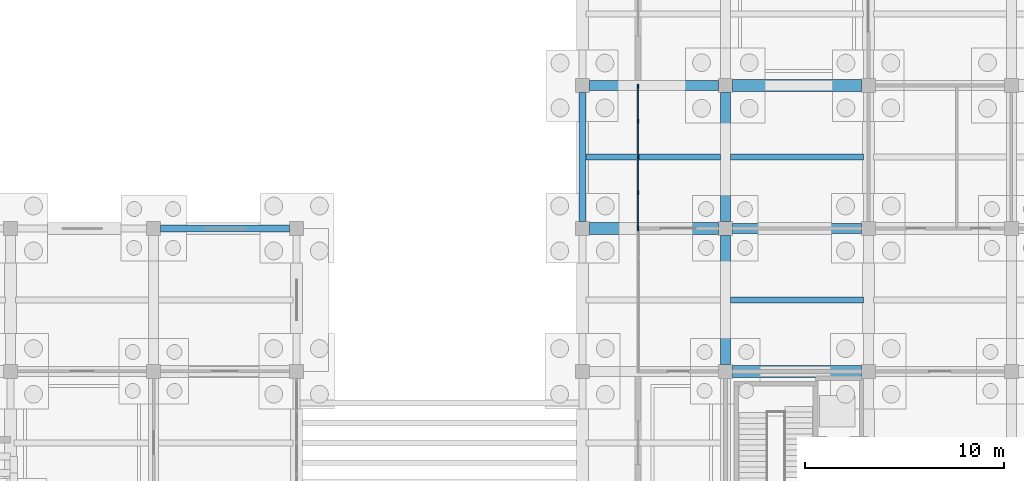
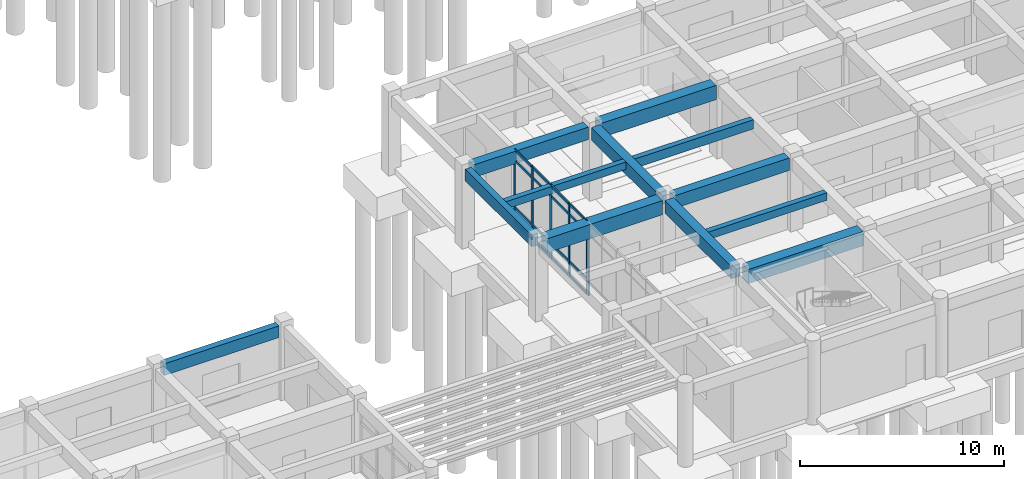
# One storey, part 24 of 79: 22 members, 12 beams, 2 elements without a shape of their own.
"""IFC4 building model written with IfcOpenShell, lengths in metres."""

from ifc_helpers import new_model, si_unit, direction, frame, origin, origin_2d, place, context, subcontext, project, spatial, rectangle, extrude, material, layer, layer_set, material_profile, profile_set, type_object, element, aggregate, save


model = new_model("IFC4")

# Units and contexts
model_context = context("Model", 3, precision=1e-05, world=origin(), true_north=direction((0.0, 1.0)))
body_context = subcontext(model_context, "Body", "Model", "MODEL_VIEW")
ifc_project = project(units=[si_unit("LENGTHUNIT", "METRE"), si_unit("AREAUNIT", "SQUARE_METRE"), si_unit("VOLUMEUNIT", "CUBIC_METRE"), si_unit("PLANEANGLEUNIT", "RADIAN"), si_unit("MASSUNIT", "GRAM", prefix="KILO")], contexts=[model_context])

# Site, building, storey
site_placement = place(None, origin())
site = spatial("IfcSite", under=ifc_project, at=site_placement, CompositionType="ELEMENT")
building_placement = place(site_placement, origin())
building = spatial("IfcBuilding", under=site, at=building_placement, Name="Kavelor Marine Aquarium", CompositionType="ELEMENT")
storey_placement = place(building_placement, origin())
storey = spatial("IfcBuildingStorey", under=building, at=storey_placement, Name="L00", CompositionType="ELEMENT", Elevation=0.0)

# Beams
ifc_material_1 = material(Name="Concrete C40/50", Category="concrete")
ifc_material_profile_1 = material_profile(ifc_material_1, rectangle(XDim=0.60009765625, YDim=0.85009765625, at=origin_2d()), Name="RC-BM 600x850")
ifc_profile_set_1 = profile_set([ifc_material_profile_1], Name="Concrete C40/50")
beam_type_1 = type_object("IfcBeamType", Name="BM-B1", PredefinedType="BEAM", material=ifc_profile_set_1)
for number, where, z_axis, x_axis, name in (
    (1, (118.75, 17.199951171875, 3.955078125), (1.0, 0.0, 0.0), (0.0, 1.0, 0.0), "bm:x:L00:L01:16_02"),
    (2, (125.949951171875, 10.0, 3.955078125), (1.0, 0.0, 0.0), (0.0, 1.0, 0.0), "bm:x:L00:L01:17_01"),
    (3, (125.949951171875, 24.39990234375, 3.955078125), (1.0, 0.0, 0.0), (0.0, 1.0, 0.0), "bm:x:L00:L01:17_03"),
):
    element("IfcBeam", number, at=place(storey_placement, frame(where, z_axis=z_axis, x_axis=x_axis)), inside=storey, type_object=beam_type_1, Name=name, PredefinedType="BEAM", context=body_context, shape_type="SweptSolid", body=[
        extrude(rectangle(XDim=0.60009765625, YDim=0.85009765625, at=origin_2d()), origin(), (0.0, 0.0, 1.0), 6.5),
    ])
ifc_material_2 = material(Name="Concrete C40/50", Category="concrete")
ifc_material_profile_2 = material_profile(ifc_material_2, rectangle(XDim=0.5, YDim=0.75, at=origin_2d()), Name="RC-BM 500x750")
ifc_profile_set_2 = profile_set([ifc_material_profile_2], Name="Concrete C40/50")
beam_type_2 = type_object("IfcBeamType", Name="BM-B2", PredefinedType="BEAM", material=ifc_profile_set_2)
for number, where, z_axis, x_axis, name in (
    (4, (118.75, 24.39990234375, 4.0048828125), (1.0, 0.0, 0.0), (0.0, 1.0, 0.0), "bm:x:L00:L01:16_03"),
    (5, (125.949951171875, 17.199951171875, 4.0048828125), (1.0, 0.0, 0.0), (0.0, 1.0, 0.0), "bm:x:L00:L01:17_02"),
    (6, (125.60009765625, 10.35009765625, 4.0048828125), (0.0, 1.0, 0.0), (-1.0, 0.0, 0.0), "bm:y:L00:L01:17_01"),
    (7, (125.60009765625, 17.550048828125, 4.0048828125), (0.0, 1.0, 0.0), (-1.0, 0.0, 0.0), "bm:y:L00:L01:17_02"),
):
    element("IfcBeam", number, at=place(storey_placement, frame(where, z_axis=z_axis, x_axis=x_axis)), inside=storey, type_object=beam_type_2, Name=name, PredefinedType="BEAM", context=body_context, shape_type="SweptSolid", body=[
        extrude(rectangle(XDim=0.5, YDim=0.75, at=origin_2d()), origin(), (0.0, 0.0, 1.0), 6.5),
    ])
ifc_material_3 = material(Name="Concrete C40/50", Category="concrete")
ifc_material_profile_3 = material_profile(ifc_material_3, rectangle(XDim=0.300048828125, YDim=0.449951171875, at=origin_2d()), Name="RC-JS 300x450")
ifc_profile_set_3 = profile_set([ifc_material_profile_3], Name="Concrete C40/50")
beam_type_3 = type_object("IfcBeamType", Name="BM-JS1", PredefinedType="JOIST", material=ifc_profile_set_3)
beam_1_placement = place(storey_placement, frame((118.574951171875, 20.800048828125, 4.155029296875), z_axis=(1.0, 0.0, 0.0), x_axis=(0.0, 1.0, 0.0)))
element("IfcBeam", 8, at=beam_1_placement, inside=storey, type_object=beam_type_3, Name="js:L00:L01:16_02", PredefinedType="JOIST", context=body_context, shape_type="SweptSolid", body=[
    extrude(rectangle(XDim=0.300048828125, YDim=0.449951171875, at=origin_2d()), origin(), (0.0, 0.0, 1.0), 6.775146484375),
])
beam_2_placement = place(storey_placement, frame((125.85009765625, 13.60009765625, 4.155029296875), z_axis=(1.0, 0.0, 0.0), x_axis=(0.0, 1.0, 0.0)))
element("IfcBeam", 9, at=beam_2_placement, inside=storey, type_object=beam_type_3, Name="js:L00:L01:17_01", PredefinedType="JOIST", context=body_context, shape_type="SweptSolid", body=[
    extrude(rectangle(XDim=0.300048828125, YDim=0.449951171875, at=origin_2d()), origin(), (0.0, 0.0, 1.0), 6.699951171875),
])
ifc_material_4 = material(Name="Concrete C40/50", Category="concrete")
ifc_material_profile_4 = material_profile(ifc_material_4, rectangle(XDim=0.300048828125, YDim=0.550048828125, at=origin_2d()), Name="RC-JS 300x550")
ifc_profile_set_4 = profile_set([ifc_material_profile_4], Name="Concrete C40/50")
beam_type_4 = type_object("IfcBeamType", Name="BM-JS2", PredefinedType="JOIST", material=ifc_profile_set_4)
beam_3_placement = place(storey_placement, frame((125.85009765625, 20.800048828125, 4.10498046875), z_axis=(1.0, 0.0, 0.0), x_axis=(0.0, 1.0, 0.0)))
element("IfcBeam", 10, at=beam_3_placement, inside=storey, type_object=beam_type_4, Name="js:L00:L01:17_02", PredefinedType="JOIST", context=body_context, shape_type="SweptSolid", body=[
    extrude(rectangle(XDim=0.300048828125, YDim=0.550048828125, at=origin_2d()), origin(), (0.0, 0.0, 1.0), 6.699951171875),
])
ifc_material_5 = material(Name="Concrete C40/50", Category="concrete")
ifc_material_profile_5 = material_profile(ifc_material_5, rectangle(XDim=0.35009765625, YDim=0.699951171875, at=origin_2d()), Name="RC-SP 350x700")
ifc_profile_set_5 = profile_set([ifc_material_profile_5], Name="Concrete C40/50")
beam_type_5 = type_object("IfcBeamType", Name="BM-SP1", PredefinedType="SPANDREL", material=ifc_profile_set_5)
for number, where, z_axis, x_axis, name in (
    (11, (97.14990234375, 17.199951171875, 4.030029296875), (1.0, 0.0, 0.0), (0.0, 1.0, 0.0), "bm:x:L00:L01:13_02"),
    (12, (118.39990234375, 17.550048828125, 4.030029296875), (0.0, 1.0, 0.0), (-1.0, 0.0, 0.0), "bm:y:L00:L01:16_02"),
):
    element("IfcBeam", number, at=place(storey_placement, frame(where, z_axis=z_axis, x_axis=x_axis)), inside=storey, type_object=beam_type_5, Name=name, PredefinedType="SPANDREL", context=body_context, shape_type="SweptSolid", body=[
        extrude(rectangle(XDim=0.35009765625, YDim=0.699951171875, at=origin_2d()), origin(), (0.0, 0.0, 1.0), 6.5),
    ])

# Curtain wall, members
ifc_material_6 = material(Name="Thermally Broken Aluminium and Low-E Glass", Category="aluminium")
ifc_layer_1 = layer(ifc_material_6, 0.243896484375)
ifc_layer_set_1 = layer_set([ifc_layer_1], Name="CW-SYS13")
curtain_wall_type_1 = type_object("IfcCurtainWallType", Name="CW-SYS13", PredefinedType="USERDEFINED", material=ifc_layer_set_1)
curtain_wall_1_placement = place(storey_placement, origin())
curtain_wall_1 = element("IfcCurtainWall", 13, at=curtain_wall_1_placement, inside=storey, type_object=curtain_wall_type_1, Name="cw:arc:v3w:02", ObjectType="Curtain Wall", PredefinedType="USERDEFINED")
ifc_material_7 = material(Name="Anodised Aluminium Alloy 6063-T6", Category="aluminium")
ifc_material_profile_6 = material_profile(ifc_material_7, rectangle(XDim=0.074951171875, YDim=0.179931640625, at=origin_2d()), Name="CW-MUL 75x180")
ifc_profile_set_6 = profile_set([ifc_material_profile_6], Name="Anodised Aluminium Alloy 6063-T6")
member_type_1 = type_object("IfcMemberType", Name="CWM-1", PredefinedType="MULLION", material=ifc_profile_set_6)
member_1_placement = place(storey_placement, frame((121.199951171875, 24.362548828125, 0.0), z_axis=(0.0, 0.0, 1.0), x_axis=(1.0, 0.0, 0.0)))
member_1 = element("IfcMember", 14, at=member_1_placement, type_object=member_type_1, Name="CW13 mullion 1", PredefinedType="MULLION", context=body_context, shape_type="SweptSolid", body=[
    extrude(rectangle(XDim=0.074951171875, YDim=0.179931640625, at=origin_2d()), origin(), (0.0, 0.0, 1.0), 4.3701171875),
])
member_2_placement = place(storey_placement, frame((121.199951171875, 22.60009765625, 0.0), z_axis=(0.0, 0.0, 1.0), x_axis=(1.0, 0.0, 0.0)))
member_2 = element("IfcMember", 15, at=member_2_placement, type_object=member_type_1, Name="CW13 mullion 2", PredefinedType="MULLION", context=body_context, shape_type="SweptSolid", body=[
    extrude(rectangle(XDim=0.074951171875, YDim=0.179931640625, at=origin_2d()), origin(), (0.0, 0.0, 1.0), 4.3701171875),
])
member_3_placement = place(storey_placement, frame((121.199951171875, 20.800048828125, 0.0), z_axis=(0.0, 0.0, 1.0), x_axis=(1.0, 0.0, 0.0)))
member_3 = element("IfcMember", 16, at=member_3_placement, type_object=member_type_1, Name="CW13 mullion 3", PredefinedType="MULLION", context=body_context, shape_type="SweptSolid", body=[
    extrude(rectangle(XDim=0.074951171875, YDim=0.179931640625, at=origin_2d()), origin(), (0.0, 0.0, 1.0), 4.3701171875),
])
member_4_placement = place(storey_placement, frame((121.199951171875, 19.0, 0.0), z_axis=(0.0, 0.0, 1.0), x_axis=(1.0, 0.0, 0.0)))
member_4 = element("IfcMember", 17, at=member_4_placement, type_object=member_type_1, Name="CW13 mullion 4", PredefinedType="MULLION", context=body_context, shape_type="SweptSolid", body=[
    extrude(rectangle(XDim=0.074951171875, YDim=0.179931640625, at=origin_2d()), origin(), (0.0, 0.0, 1.0), 4.3701171875),
])
member_5_placement = place(storey_placement, frame((121.199951171875, 17.237548828125, 0.0), z_axis=(0.0, 0.0, 1.0), x_axis=(1.0, 0.0, 0.0)))
member_5 = element("IfcMember", 18, at=member_5_placement, type_object=member_type_1, Name="CW13 mullion 5", PredefinedType="MULLION", context=body_context, shape_type="SweptSolid", body=[
    extrude(rectangle(XDim=0.074951171875, YDim=0.179931640625, at=origin_2d()), origin(), (0.0, 0.0, 1.0), 4.3701171875),
])

# Curtain wall, member
ifc_material_8 = material(Name="Thermally Broken Aluminium and Low-E Glass", Category="aluminium")
ifc_layer_2 = layer(ifc_material_8, 0.236083984375)
ifc_layer_set_2 = layer_set([ifc_layer_2], Name="CW-SYS12")
curtain_wall_type_2 = type_object("IfcCurtainWallType", Name="CW-SYS12", PredefinedType="USERDEFINED", material=ifc_layer_set_2)
curtain_wall_2_placement = place(storey_placement, origin())
curtain_wall_2 = element("IfcCurtainWall", 19, at=curtain_wall_2_placement, inside=storey, type_object=curtain_wall_type_2, Name="cw:arc:v3w:01", ObjectType="Curtain Wall", PredefinedType="USERDEFINED")
ifc_material_9 = material(Name="Anodised Aluminium Alloy 6063-T6", Category="aluminium")
ifc_material_profile_7 = material_profile(ifc_material_9, rectangle(XDim=0.0849609375, YDim=0.18994140625, at=origin_2d()), Name="CW-MUL 85x190")
ifc_profile_set_7 = profile_set([ifc_material_profile_7], Name="Anodised Aluminium Alloy 6063-T6")
member_type_2 = type_object("IfcMemberType", Name="CWM-3", PredefinedType="MULLION", material=ifc_profile_set_7)
member_6_placement = place(storey_placement, frame((121.199951171875, 17.169921875, 0.0), z_axis=(0.0, 0.0, 1.0), x_axis=(1.0, 0.0, 0.0)))
member_6 = element("IfcMember", 20, at=member_6_placement, type_object=member_type_2, Name="CW12 mullion 1", PredefinedType="MULLION", context=body_context, shape_type="SweptSolid", body=[
    extrude(rectangle(XDim=0.0849609375, YDim=0.18994140625, at=origin_2d()), origin(), (0.0, 0.0, 1.0), 4.3701171875),
])
aggregate(curtain_wall_2, [member_6])

# Member
ifc_material_10 = material(Name="Anodised Aluminium Alloy 6063-T6", Category="aluminium")
ifc_material_profile_8 = material_profile(ifc_material_10, rectangle(XDim=0.074951171875, YDim=0.14990234375, at=origin_2d()), Name="CW-TRN 75x150")
ifc_profile_set_8 = profile_set([ifc_material_profile_8], Name="Anodised Aluminium Alloy 6063-T6")
member_type_3 = type_object("IfcMemberType", Name="CWT-1", PredefinedType="USERDEFINED", material=ifc_profile_set_8)
member_7_placement = place(storey_placement, frame((121.199951171875, 24.324951171875, 0.03759765625), z_axis=(0.0, -1.0, 0.0), x_axis=(1.0, 0.0, 0.0)))
member_7 = element("IfcMember", 21, at=member_7_placement, type_object=member_type_3, Name="CW13 transom 1.1", ObjectType="TRANSOM", PredefinedType="USERDEFINED", context=body_context, shape_type="SweptSolid", body=[
    extrude(rectangle(XDim=0.074951171875, YDim=0.14990234375, at=origin_2d()), origin(), (0.0, 0.0, 1.0), 1.6875),
])

member_8_placement = place(storey_placement, frame((121.199951171875, 24.324951171875, 0.89990234375), z_axis=(0.0, -1.0, 0.0), x_axis=(1.0, 0.0, 0.0)))
member_8 = element("IfcMember", 22, at=member_8_placement, type_object=member_type_3, Name="CW13 transom 1.2", ObjectType="TRANSOM", PredefinedType="USERDEFINED", context=body_context, shape_type="SweptSolid", body=[
    extrude(rectangle(XDim=0.074951171875, YDim=0.14990234375, at=origin_2d()), origin(), (0.0, 0.0, 1.0), 1.6875),
])

member_9_placement = place(storey_placement, frame((121.199951171875, 24.324951171875, 3.719970703125), z_axis=(0.0, -1.0, 0.0), x_axis=(1.0, 0.0, 0.0)))
member_9 = element("IfcMember", 23, at=member_9_placement, type_object=member_type_3, Name="CW13 transom 1.3", ObjectType="TRANSOM", PredefinedType="USERDEFINED", context=body_context, shape_type="SweptSolid", body=[
    extrude(rectangle(XDim=0.074951171875, YDim=0.14990234375, at=origin_2d()), origin(), (0.0, 0.0, 1.0), 1.6875),
])

member_10_placement = place(storey_placement, frame((121.199951171875, 24.324951171875, 4.33251953125), z_axis=(0.0, -1.0, 0.0), x_axis=(1.0, 0.0, 0.0)))
member_10 = element("IfcMember", 24, at=member_10_placement, type_object=member_type_3, Name="CW13 transom 1.4", ObjectType="TRANSOM", PredefinedType="USERDEFINED", context=body_context, shape_type="SweptSolid", body=[
    extrude(rectangle(XDim=0.074951171875, YDim=0.14990234375, at=origin_2d()), origin(), (0.0, 0.0, 1.0), 1.6875),
])

member_11_placement = place(storey_placement, frame((121.199951171875, 22.5625, 0.03759765625), z_axis=(0.0, -1.0, 0.0), x_axis=(1.0, 0.0, 0.0)))
member_11 = element("IfcMember", 25, at=member_11_placement, type_object=member_type_3, Name="CW13 transom 2.1", ObjectType="TRANSOM", PredefinedType="USERDEFINED", context=body_context, shape_type="SweptSolid", body=[
    extrude(rectangle(XDim=0.074951171875, YDim=0.14990234375, at=origin_2d()), origin(), (0.0, 0.0, 1.0), 1.72509765625),
])

member_12_placement = place(storey_placement, frame((121.199951171875, 22.5625, 0.89990234375), z_axis=(0.0, -1.0, 0.0), x_axis=(1.0, 0.0, 0.0)))
member_12 = element("IfcMember", 26, at=member_12_placement, type_object=member_type_3, Name="CW13 transom 2.2", ObjectType="TRANSOM", PredefinedType="USERDEFINED", context=body_context, shape_type="SweptSolid", body=[
    extrude(rectangle(XDim=0.074951171875, YDim=0.14990234375, at=origin_2d()), origin(), (0.0, 0.0, 1.0), 1.72509765625),
])

member_13_placement = place(storey_placement, frame((121.199951171875, 22.5625, 3.719970703125), z_axis=(0.0, -1.0, 0.0), x_axis=(1.0, 0.0, 0.0)))
member_13 = element("IfcMember", 27, at=member_13_placement, type_object=member_type_3, Name="CW13 transom 2.3", ObjectType="TRANSOM", PredefinedType="USERDEFINED", context=body_context, shape_type="SweptSolid", body=[
    extrude(rectangle(XDim=0.074951171875, YDim=0.14990234375, at=origin_2d()), origin(), (0.0, 0.0, 1.0), 1.72509765625),
])

member_14_placement = place(storey_placement, frame((121.199951171875, 22.5625, 4.33251953125), z_axis=(0.0, -1.0, 0.0), x_axis=(1.0, 0.0, 0.0)))
member_14 = element("IfcMember", 28, at=member_14_placement, type_object=member_type_3, Name="CW13 transom 2.4", ObjectType="TRANSOM", PredefinedType="USERDEFINED", context=body_context, shape_type="SweptSolid", body=[
    extrude(rectangle(XDim=0.074951171875, YDim=0.14990234375, at=origin_2d()), origin(), (0.0, 0.0, 1.0), 1.72509765625),
])

member_15_placement = place(storey_placement, frame((121.199951171875, 20.762451171875, 0.03759765625), z_axis=(0.0, -1.0, 0.0), x_axis=(1.0, 0.0, 0.0)))
member_15 = element("IfcMember", 29, at=member_15_placement, type_object=member_type_3, Name="CW13 transom 3.1", ObjectType="TRANSOM", PredefinedType="USERDEFINED", context=body_context, shape_type="SweptSolid", body=[
    extrude(rectangle(XDim=0.074951171875, YDim=0.14990234375, at=origin_2d()), origin(), (0.0, 0.0, 1.0), 1.724853515625),
])

member_16_placement = place(storey_placement, frame((121.199951171875, 20.762451171875, 0.89990234375), z_axis=(0.0, -1.0, 0.0), x_axis=(1.0, 0.0, 0.0)))
member_16 = element("IfcMember", 30, at=member_16_placement, type_object=member_type_3, Name="CW13 transom 3.2", ObjectType="TRANSOM", PredefinedType="USERDEFINED", context=body_context, shape_type="SweptSolid", body=[
    extrude(rectangle(XDim=0.074951171875, YDim=0.14990234375, at=origin_2d()), origin(), (0.0, 0.0, 1.0), 1.724853515625),
])

member_17_placement = place(storey_placement, frame((121.199951171875, 20.762451171875, 3.719970703125), z_axis=(0.0, -1.0, 0.0), x_axis=(1.0, 0.0, 0.0)))
member_17 = element("IfcMember", 31, at=member_17_placement, type_object=member_type_3, Name="CW13 transom 3.3", ObjectType="TRANSOM", PredefinedType="USERDEFINED", context=body_context, shape_type="SweptSolid", body=[
    extrude(rectangle(XDim=0.074951171875, YDim=0.14990234375, at=origin_2d()), origin(), (0.0, 0.0, 1.0), 1.724853515625),
])

member_18_placement = place(storey_placement, frame((121.199951171875, 20.762451171875, 4.33251953125), z_axis=(0.0, -1.0, 0.0), x_axis=(1.0, 0.0, 0.0)))
member_18 = element("IfcMember", 32, at=member_18_placement, type_object=member_type_3, Name="CW13 transom 3.4", ObjectType="TRANSOM", PredefinedType="USERDEFINED", context=body_context, shape_type="SweptSolid", body=[
    extrude(rectangle(XDim=0.074951171875, YDim=0.14990234375, at=origin_2d()), origin(), (0.0, 0.0, 1.0), 1.724853515625),
])

member_19_placement = place(storey_placement, frame((121.199951171875, 18.96240234375, 0.03759765625), z_axis=(0.0, -1.0, 0.0), x_axis=(1.0, 0.0, 0.0)))
member_19 = element("IfcMember", 33, at=member_19_placement, type_object=member_type_3, Name="CW13 transom 4.1", ObjectType="TRANSOM", PredefinedType="USERDEFINED", context=body_context, shape_type="SweptSolid", body=[
    extrude(rectangle(XDim=0.074951171875, YDim=0.14990234375, at=origin_2d()), origin(), (0.0, 0.0, 1.0), 1.6875),
])

member_20_placement = place(storey_placement, frame((121.199951171875, 18.96240234375, 0.89990234375), z_axis=(0.0, -1.0, 0.0), x_axis=(1.0, 0.0, 0.0)))
member_20 = element("IfcMember", 34, at=member_20_placement, type_object=member_type_3, Name="CW13 transom 4.2", ObjectType="TRANSOM", PredefinedType="USERDEFINED", context=body_context, shape_type="SweptSolid", body=[
    extrude(rectangle(XDim=0.074951171875, YDim=0.14990234375, at=origin_2d()), origin(), (0.0, 0.0, 1.0), 1.6875),
])

member_21_placement = place(storey_placement, frame((121.199951171875, 18.96240234375, 3.719970703125), z_axis=(0.0, -1.0, 0.0), x_axis=(1.0, 0.0, 0.0)))
member_21 = element("IfcMember", 35, at=member_21_placement, type_object=member_type_3, Name="CW13 transom 4.3", ObjectType="TRANSOM", PredefinedType="USERDEFINED", context=body_context, shape_type="SweptSolid", body=[
    extrude(rectangle(XDim=0.074951171875, YDim=0.14990234375, at=origin_2d()), origin(), (0.0, 0.0, 1.0), 1.6875),
])

member_22_placement = place(storey_placement, frame((121.199951171875, 18.96240234375, 4.33251953125), z_axis=(0.0, -1.0, 0.0), x_axis=(1.0, 0.0, 0.0)))
member_22 = element("IfcMember", 36, at=member_22_placement, type_object=member_type_3, Name="CW13 transom 4.4", ObjectType="TRANSOM", PredefinedType="USERDEFINED", context=body_context, shape_type="SweptSolid", body=[
    extrude(rectangle(XDim=0.074951171875, YDim=0.14990234375, at=origin_2d()), origin(), (0.0, 0.0, 1.0), 1.6875),
])

aggregate(curtain_wall_1, [member_1, member_2, member_3, member_4, member_5, member_7, member_8, member_9, member_10, member_11, member_12, member_13, member_14, member_15, member_16, member_17, member_18, member_19, member_20, member_21, member_22])

save(model, "model.ifc")
